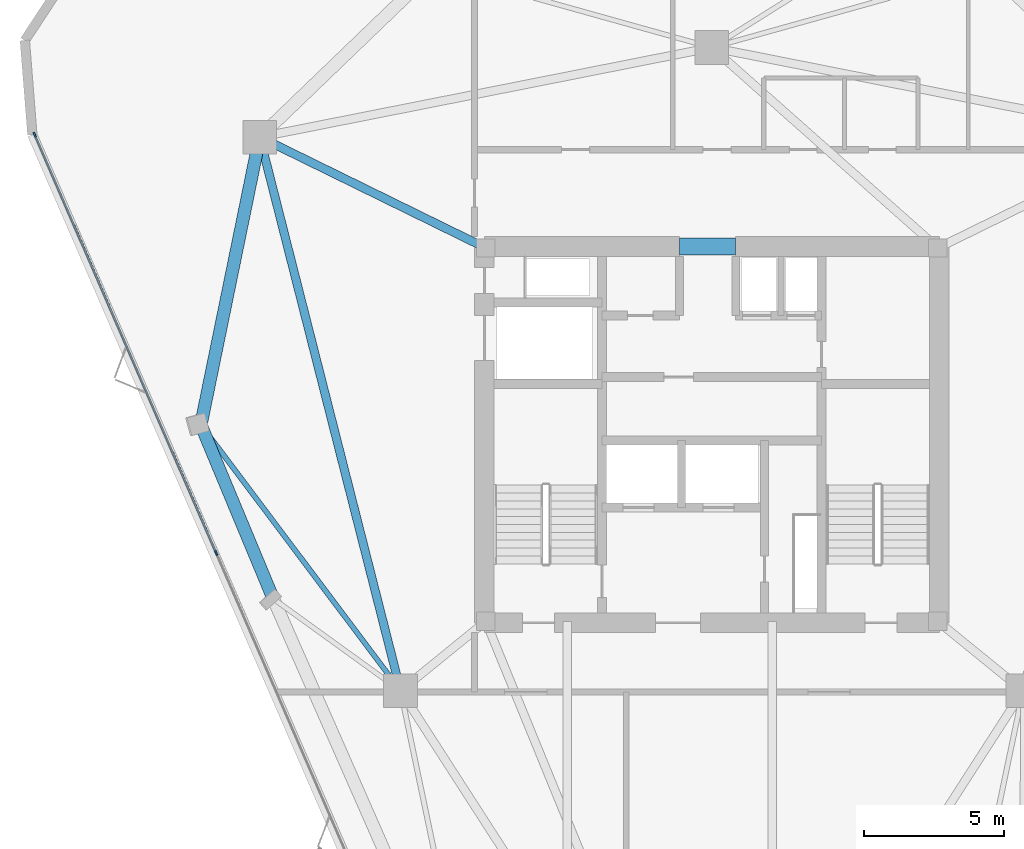
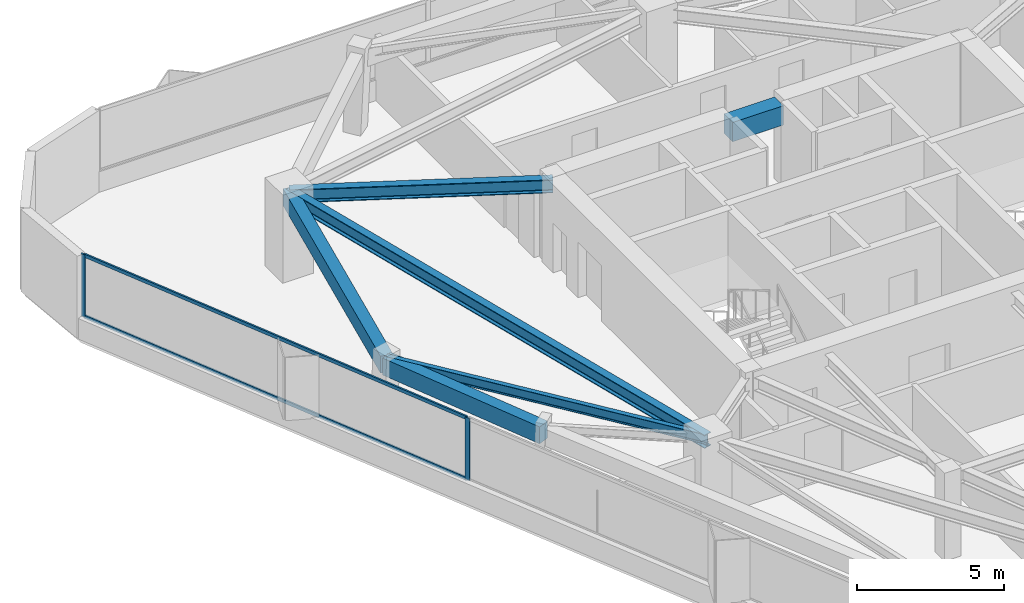
# One storey, part 4 of 10: 6 beams, 4 members, 1 element without a shape of its own.
"""IFC4 building model written with IfcOpenShell, lengths in metres."""

from ifc_helpers import new_model, si_unit, direction, frame, origin, origin_2d, place, context, subcontext, project, spatial, rectangle, i_section, extrude, material, layer, layer_set, material_profile, profile_set, type_object, element, aggregate, save


model = new_model("IFC4")

# Units and contexts
model_context = context("Model", 3, precision=1e-05, world=origin(), true_north=direction((0.0, 1.0)))
body_context = subcontext(model_context, "Body", "Model", "MODEL_VIEW")
ifc_project = project(units=[si_unit("LENGTHUNIT", "METRE"), si_unit("AREAUNIT", "SQUARE_METRE"), si_unit("VOLUMEUNIT", "CUBIC_METRE"), si_unit("PLANEANGLEUNIT", "RADIAN"), si_unit("MASSUNIT", "GRAM", prefix="KILO")], contexts=[model_context])

# Site, building, storey
site_placement = place(None, origin())
site = spatial("IfcSite", under=ifc_project, at=site_placement, CompositionType="ELEMENT")
building_placement = place(site_placement, origin())
building = spatial("IfcBuilding", under=site, at=building_placement, Name="Talyreon Biosciences Tower", CompositionType="ELEMENT")
storey_placement = place(building_placement, frame((0.0, 0.0, 231.60009765625)))
storey = spatial("IfcBuildingStorey", under=building, at=storey_placement, Name="L61", CompositionType="ELEMENT", Elevation=231.60009765625)

# Curtain wall, members
ifc_material_1 = material(Name="Thermally broken aluminium and low-E glazing", Category="aluminium")
ifc_layer = layer(ifc_material_1, 0.175048828125)
ifc_layer_set = layer_set([ifc_layer], Name="Thermally broken aluminium and low-E glazing")
curtain_wall_type = type_object("IfcCurtainWallType", Name="CurtainWall_Zone5CompLab", PredefinedType="NOTDEFINED", material=ifc_layer_set)
curtain_wall_placement = place(storey_placement, origin())
curtain_wall = element("IfcCurtainWall", 1, at=curtain_wall_placement, inside=storey, type_object=curtain_wall_type, Name="L61 Unitised Curtain Wall FCW-L61-00", PredefinedType="NOTDEFINED")
ifc_material_2 = material(Name="Anodised thermally broken aluminium", Category="aluminium")
ifc_material_profile_1 = material_profile(ifc_material_2, rectangle(XDim=0.06494140625, YDim=0.179931640625, at=origin_2d()), Name="ALUM MULLION 65x180")
ifc_profile_set_1 = profile_set([ifc_material_profile_1], Name="Anodised thermally broken aluminium")
member_type_1 = type_object("IfcMemberType", Name="CWMullion_65x180", PredefinedType="MULLION", material=ifc_profile_set_1)
member_1_placement = place(storey_placement, frame((48.3466796875, 63.785888671875, 0.809814453125), z_axis=(0.0, 0.0, 1.0), x_axis=(-0.917336640876, -0.398112405366, 0.0)))
member_1 = element("IfcMember", 2, at=member_1_placement, type_object=member_type_1, Name="CW6 mullion 3", PredefinedType="MULLION", context=body_context, shape_type="SweptSolid", body=[
    extrude(rectangle(XDim=0.06494140625, YDim=0.179931640625, at=origin_2d()), origin(), (0.0, 0.0, 1.0), 2.590087890625),
])
member_2_placement = place(storey_placement, frame((41.881591796875, 78.683349609375, 0.809814453125), z_axis=(0.0, 0.0, 1.0), x_axis=(-0.917336640876, -0.398112405366, 0.0)))
member_2 = element("IfcMember", 3, at=member_2_placement, type_object=member_type_1, Name="CW6 mullion 4", PredefinedType="MULLION", context=body_context, shape_type="SweptSolid", body=[
    extrude(rectangle(XDim=0.06494140625, YDim=0.179931640625, at=origin_2d()), origin(), (0.0, 0.0, 1.0), 2.590087890625),
])
ifc_material_profile_2 = material_profile(ifc_material_2, rectangle(XDim=0.06494140625, YDim=0.139892578125, at=origin_2d()), Name="ALUM TRANSOM 65x140")
ifc_profile_set_2 = profile_set([ifc_material_profile_2], Name="Anodised thermally broken aluminium")
member_type_2 = type_object("IfcMemberType", Name="CWTransom_65x140", PredefinedType="USERDEFINED", material=ifc_profile_set_2)
member_3_placement = place(storey_placement, frame((48.333740234375, 63.815673828125, 0.84228515625), z_axis=(-0.398099588732, 0.917342203025, 0.0), x_axis=(-0.917342203025, -0.398099588732, 0.0)))
member_3 = element("IfcMember", 4, at=member_3_placement, type_object=member_type_2, Name="CW6 transom 3.1", ObjectType="TRANSOM", PredefinedType="USERDEFINED", context=body_context, shape_type="SweptSolid", body=[
    extrude(rectangle(XDim=0.06494140625, YDim=0.139892578125, at=origin_2d()), origin(), (0.0, 0.0, 1.0), 16.1748046875),
])
member_4_placement = place(storey_placement, frame((48.333740234375, 63.815673828125, 3.367431640625), z_axis=(-0.398099588732, 0.917342203025, 0.0), x_axis=(-0.917342203025, -0.398099588732, 0.0)))
member_4 = element("IfcMember", 5, at=member_4_placement, type_object=member_type_2, Name="CW6 transom 3.2", ObjectType="TRANSOM", PredefinedType="USERDEFINED", context=body_context, shape_type="SweptSolid", body=[
    extrude(rectangle(XDim=0.06494140625, YDim=0.139892578125, at=origin_2d()), origin(), (0.0, 0.0, 1.0), 16.1748046875),
])
aggregate(curtain_wall, [member_1, member_2, member_3, member_4])

# Beams
ifc_material_3 = material(Name="Concrete C50/60", Category="concrete")
ifc_material_profile_3 = material_profile(ifc_material_3, rectangle(XDim=0.60009765625, YDim=0.800048828125, at=origin_2d()), Name="RCB 600x800")
ifc_profile_set_3 = profile_set([ifc_material_profile_3], Name="Concrete C50/60")
beam_type_1 = type_object("IfcBeamType", Name="CoreCouplingLintel_600x800", PredefinedType="LINTEL", material=ifc_profile_set_3)
beam_1_placement = place(storey_placement, frame((64.85009765625, 74.699951171875, 3.0), z_axis=(1.0, 0.0, 0.0), x_axis=(0.0, 1.0, 0.0)))
element("IfcBeam", 6, at=beam_1_placement, inside=storey, type_object=beam_type_1, Name="L61 Core Coupling Lintel", PredefinedType="LINTEL", context=body_context, shape_type="SweptSolid", body=[
    extrude(rectangle(XDim=0.60009765625, YDim=0.800048828125, at=origin_2d()), origin(), (0.0, 0.0, 1.0), 2.0),
])
ifc_material_4 = material(Name="Precast concrete C45/55", Category="concrete")
ifc_material_profile_4 = material_profile(ifc_material_4, rectangle(XDim=0.449951171875, YDim=0.699951171875, at=origin_2d()), Name="RCB 450x700")
ifc_profile_set_4 = profile_set([ifc_material_profile_4], Name="Precast concrete C45/55")
beam_type_2 = type_object("IfcBeamType", Name="ExpressedSpandrel_450x700", PredefinedType="SPANDREL", material=ifc_profile_set_4)
beam_2_placement = place(storey_placement, frame((49.897705078125, 78.5986328125, 3.0498046875), z_axis=(-0.200485843973, -0.97969659914, 0.0), x_axis=(0.97969659914, -0.200485843973, 0.0)))
element("IfcBeam", 7, at=beam_2_placement, inside=storey, type_object=beam_type_2, Name="L61 Expressed Horizontal Concrete Spandrel 09", PredefinedType="SPANDREL", context=body_context, shape_type="SweptSolid", body=[
    extrude(rectangle(XDim=0.449951171875, YDim=0.699951171875, at=origin_2d()), origin(), (0.0, 0.0, 1.0), 10.46044921875),
])
beam_3_placement = place(storey_placement, frame((47.800537109375, 68.3505859375, 3.0498046875), z_axis=(0.384204312281, -0.923248095814, 0.0), x_axis=(0.923248095814, 0.384204312281, 0.0)))
element("IfcBeam", 8, at=beam_3_placement, inside=storey, type_object=beam_type_2, Name="L61 Expressed Horizontal Concrete Spandrel 10", PredefinedType="SPANDREL", context=body_context, shape_type="SweptSolid", body=[
    extrude(rectangle(XDim=0.449951171875, YDim=0.699951171875, at=origin_2d()), origin(), (0.0, 0.0, 1.0), 6.705810546875),
])
ifc_material_5 = material(Name="Steel SM355", Category="steel")
ifc_material_profile_5 = material_profile(ifc_material_5, i_section(OverallWidth=0.300048828125, OverallDepth=0.550048828125, WebThickness=0.014892578125, FlangeThickness=0.029052734375, FilletRadius=0.027099609375, at=origin_2d()), Name="HE550B")
ifc_profile_set_5 = profile_set([ifc_material_profile_5], Name="Steel SM355")
beam_type_3 = type_object("IfcBeamType", Name="SteelBeam_HE550B", PredefinedType="BEAM", material=ifc_profile_set_5)
beam_4_placement = place(storey_placement, frame((49.897705078125, 78.5986328125, 3.125), z_axis=(0.246537082299, -0.969133358755, 0.0), x_axis=(0.969133358755, 0.246537082299, 0.0)))
element("IfcBeam", 9, at=beam_4_placement, inside=storey, type_object=beam_type_3, Name="L61 Mega-Ring Girder 5", PredefinedType="BEAM", context=body_context, shape_type="SweptSolid", body=[
    extrude(i_section(OverallWidth=0.300048828125, OverallDepth=0.550048828125, WebThickness=0.014892578125, FlangeThickness=0.029052734375, FilletRadius=0.027099609375, at=origin_2d()), origin(), (0.0, 0.0, 1.0), 20.34619140625),
])
beam_5_placement = place(storey_placement, frame((57.949951171875, 74.64990234375, 3.125), z_axis=(-0.897852360314, 0.440296648952, 0.0), x_axis=(-0.440296648952, -0.897852360314, 0.0)))
element("IfcBeam", 10, at=beam_5_placement, inside=storey, type_object=beam_type_3, Name="L61 Radial Primary Girder 5", PredefinedType="BEAM", context=body_context, shape_type="SweptSolid", body=[
    extrude(i_section(OverallWidth=0.300048828125, OverallDepth=0.550048828125, WebThickness=0.014892578125, FlangeThickness=0.029052734375, FilletRadius=0.027099609375, at=origin_2d()), origin(), (0.0, 0.0, 1.0), 8.96826171875),
])
ifc_material_profile_6 = material_profile(ifc_material_5, i_section(OverallWidth=0.179931640625, OverallDepth=0.39990234375, WebThickness=0.008544921875, FlangeThickness=0.013427734375, FilletRadius=0.02099609375, at=origin_2d()), Name="IPE400")
ifc_profile_set_6 = profile_set([ifc_material_profile_6], Name="Steel SM355")
beam_type_4 = type_object("IfcBeamType", Name="SteelJoist_IPE400", PredefinedType="JOIST", material=ifc_profile_set_6)
beam_6_placement = place(storey_placement, frame((54.913818359375, 58.88037109375, 3.199951171875), z_axis=(-0.600573705187, 0.799569399513, 0.0), x_axis=(-0.799569399513, -0.600573705187, 0.0)))
element("IfcBeam", 11, at=beam_6_placement, inside=storey, type_object=beam_type_4, Name="L61 Radial Composite Floor Joist PC-SW1", PredefinedType="JOIST", context=body_context, shape_type="SweptSolid", body=[
    extrude(i_section(OverallWidth=0.179931640625, OverallDepth=0.39990234375, WebThickness=0.008544921875, FlangeThickness=0.013427734375, FilletRadius=0.02099609375, at=origin_2d()), origin(), (0.0, 0.0, 1.0), 11.84423828125),
])

save(model, "model.ifc")
